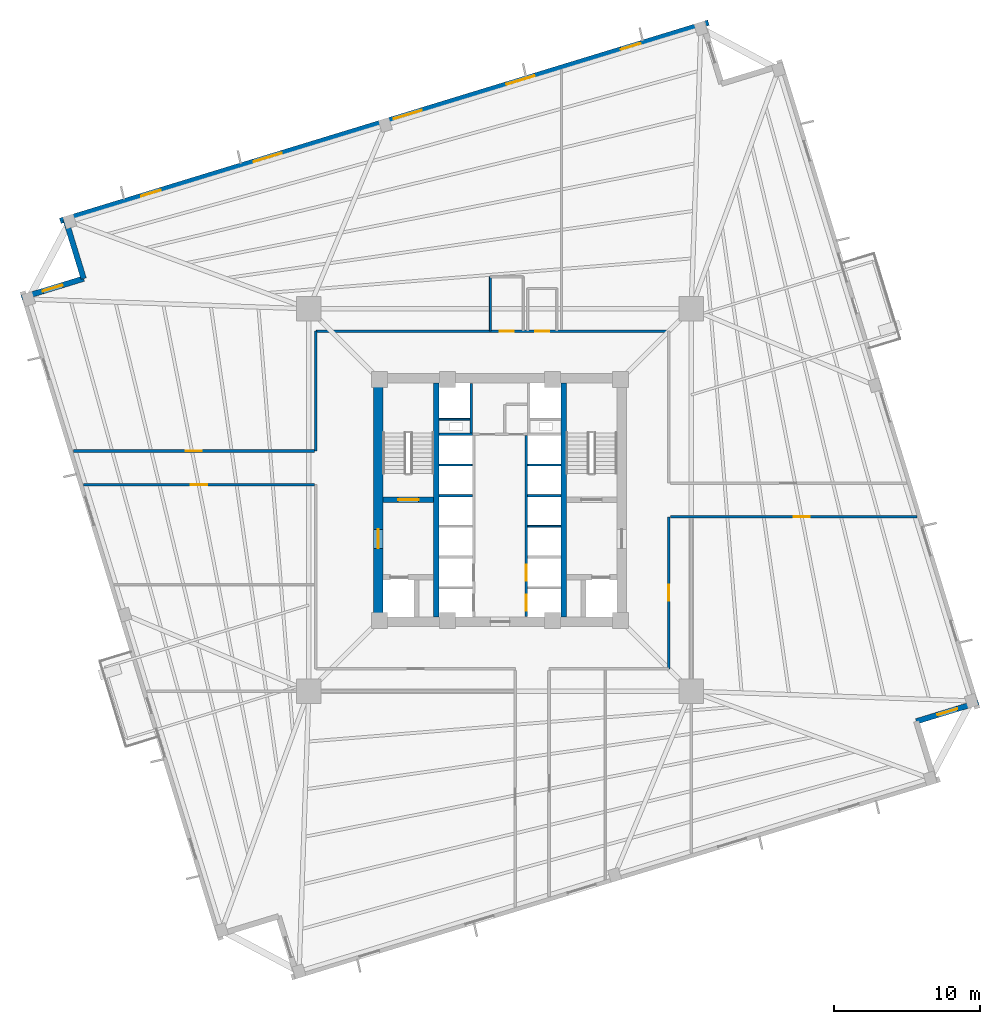
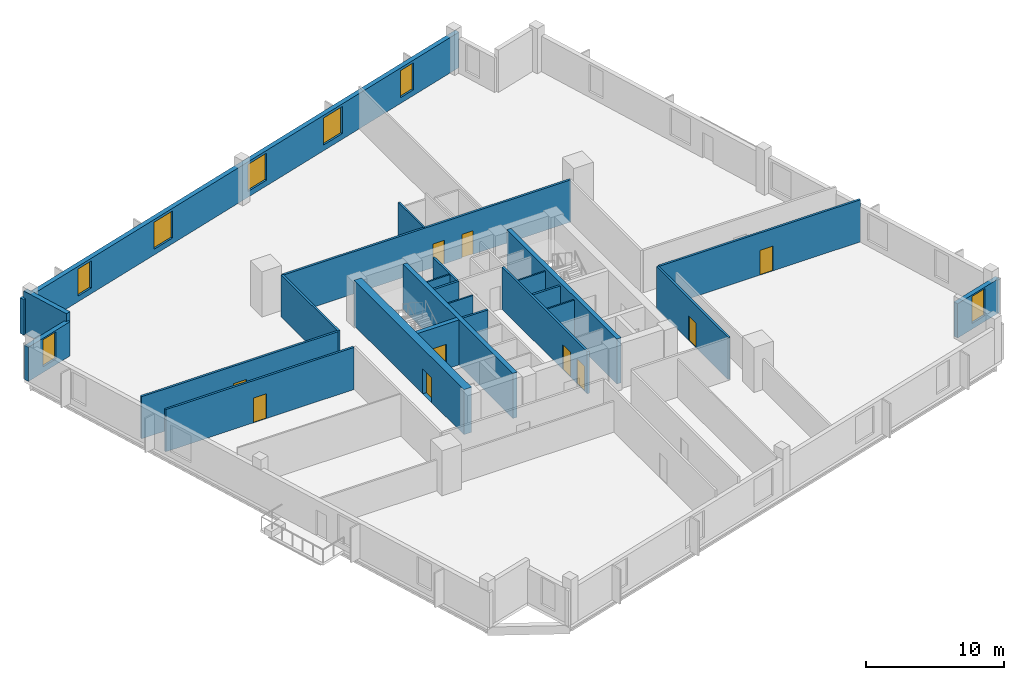
# One storey, part 4 of 9: 24 walls, 10 doors, 7 windows, 17 openings.
"""IFC4 building model written with IfcOpenShell, lengths in metres."""

from ifc_helpers import new_model, si_unit, direction, frame, frame_2d, origin, place, context, subcontext, project, spatial, rectangle, extrude, source, transform, mapped, material, layer, layer_set, type_object, element, fill, save


model = new_model("IFC4")

# Units and contexts
model_context = context("Model", 3, precision=1e-05, world=origin(), true_north=direction((0.0, 1.0)))
body_context = subcontext(model_context, "Body", "Model", "MODEL_VIEW")
ifc_project = project(units=[si_unit("LENGTHUNIT", "METRE"), si_unit("AREAUNIT", "SQUARE_METRE"), si_unit("VOLUMEUNIT", "CUBIC_METRE"), si_unit("PLANEANGLEUNIT", "RADIAN"), si_unit("MASSUNIT", "GRAM", prefix="KILO"), si_unit("THERMODYNAMICTEMPERATUREUNIT", "KELVIN")], contexts=[model_context])

# Site, building, storey
site_placement = place(None, origin())
site = spatial("IfcSite", under=ifc_project, at=site_placement, CompositionType="ELEMENT")
building_placement = place(site_placement, origin())
building = spatial("IfcBuilding", under=site, at=building_placement, Name="Kosmvard Interchange Tower", CompositionType="ELEMENT")
storey_placement = place(building_placement, frame((0.0, 0.0, 131.199951171875)))
storey = spatial("IfcBuildingStorey", under=building, at=storey_placement, Name="L31", CompositionType="ELEMENT", Elevation=131.199951171875)

# Wall
ifc_material_1 = material(Name="Fire-rated gypsum partition system")
ifc_layer_1 = layer(ifc_material_1, 0.159912109375, Name="Fire-rated gypsum partition system")
ifc_layer_set_1 = layer_set([ifc_layer_1], Name="Fire-rated gypsum partition system")
wall_type_1 = type_object("IfcWallType", Name="Core Compartment & Shuttle Lobby Partition 160", PredefinedType="PARTITIONING", material=ifc_layer_set_1)
wall_1_placement = place(storey_placement, frame((-1.9599609375, 4.580078125, 0.0), z_axis=(0.0, 0.0, 1.0), x_axis=(0.0, 1.0, 0.0)))
element("IfcWall", 1, at=wall_1_placement, inside=storey, type_object=wall_type_1, Name="L31 North Core West Wall", PredefinedType="PARTITIONING", context=body_context, shape_type="SweptSolid", body=[
    extrude(rectangle(XDim=3.39990234375, YDim=0.159912109375, at=frame_2d((1.699951171875, 0.0))), origin(), (0.0, 0.0, 1.0), 3.739990234375),
])

# Wall, openings, doors
ifc_layer_2 = layer(ifc_material_1, 0.179931640625, Name="Fire-rated gypsum partition system")
ifc_layer_set_2 = layer_set([ifc_layer_2], Name="Fire-rated gypsum partition system")
wall_type_2 = type_object("IfcWallType", Name="Corridor & Hotel Compartment Partition 180", PredefinedType="PARTITIONING", material=ifc_layer_set_2)
wall_2_placement = place(storey_placement, frame((1.7900390625, -7.97998046875, 0.0), z_axis=(0.0, 0.0, 1.0), x_axis=(0.0, 1.0, 0.0)))
wall_2 = element("IfcWall", 2, at=wall_2_placement, inside=storey, type_object=wall_type_2, Name="L31 East Lift Bank Front Wall", PredefinedType="PARTITIONING", context=body_context, shape_type="SweptSolid", body=[
    extrude(rectangle(XDim=12.3798828125, YDim=0.179931640625, at=frame_2d((6.18994140625, 0.0))), origin(), (0.0, 0.0, 1.0), 3.739990234375),
])
opening_1_placement = place(wall_2_placement, frame((0.39990234375, 0.0, 0.0)))
opening_1 = element("IfcOpeningElement", 3, at=opening_1_placement, cuts=wall_2, Name="Opening LD-PL-L3-L31", PredefinedType="OPENING", context=body_context, shape_type="SweptSolid", body=[
    extrude(rectangle(XDim=1.10009765625, YDim=2.199951171875, at=frame_2d((0.550048828125, 1.10009765625))), frame((0.0, 0.10009765625, 0.0), z_axis=(0.0, -1.0, 0.0), x_axis=(1.0, 0.0, 0.0)), (0.0, 0.0, 1.0), 0.199951171875),
])
opening_2_placement = place(wall_2_placement, frame((2.4599609375, 0.0, 0.0)))
opening_2 = element("IfcOpeningElement", 4, at=opening_2_placement, cuts=wall_2, Name="Opening LD-PL-L4-L31", PredefinedType="OPENING", context=body_context, shape_type="SweptSolid", body=[
    extrude(rectangle(XDim=1.10009765625, YDim=2.199951171875, at=frame_2d((0.550048828125, 1.10009765625))), frame((0.0, 0.10009765625, 0.0), z_axis=(0.0, -1.0, 0.0), x_axis=(1.0, 0.0, 0.0)), (0.0, 0.0, 1.0), 0.199951171875),
])
ifc_material_2 = material(Name="Brushed stainless steel sliding leaf", Category="steel")
door_type_1 = type_object("IfcDoorType", Name="Passenger Lift Sliding Landing Door 1100x2200 EI60", OperationType="DOUBLE_DOOR_SLIDING", PredefinedType="DOOR", material=ifc_material_2)
shared_shape_1 = source(origin(), body_context, "Body", "SweptSolid", [
    extrude(rectangle(XDim=1.10009765625, YDim=2.199951171875, at=frame_2d((0.550048828125, 1.10009765625))), frame((0.0, 0.02490234375, 0.0), z_axis=(0.0, -1.0, 0.0), x_axis=(1.0, 0.0, 0.0)), (0.0, 0.0, 1.0), 0.050048828125),
])
door_1_placement = place(opening_1_placement, origin())
door_1 = element("IfcDoor", 5, at=door_1_placement, inside=storey, type_object=door_type_1, Name="Lift PL-L3 Landing Door L31", OperationType="DOUBLE_DOOR_SLIDING", OverallHeight=2.199951171875, OverallWidth=1.10009765625, PredefinedType="DOOR", context=body_context, shape_type="MappedRepresentation", body=[
    mapped(shared_shape_1, transform((0.0, 0.0, 0.0), scale=1.0)),
])
fill(opening_1, door_1)
door_2_placement = place(opening_2_placement, origin())
door_2 = element("IfcDoor", 6, at=door_2_placement, inside=storey, type_object=door_type_1, Name="Lift PL-L4 Landing Door L31", OperationType="DOUBLE_DOOR_SLIDING", OverallHeight=2.199951171875, OverallWidth=1.10009765625, PredefinedType="DOOR", context=body_context, shape_type="MappedRepresentation", body=[
    mapped(shared_shape_1, transform((0.0, 0.0, 0.0), scale=1.0)),
])
fill(opening_2, door_2)

wall_3_placement = place(storey_placement, frame((-12.60009765625, 11.550048828125, 0.0), z_axis=(0.0, 0.0, 1.0), x_axis=(1.0, 0.0, 0.0)))
wall_3 = element("IfcWall", 7, at=wall_3_placement, inside=storey, type_object=wall_type_2, Name="L31 Corridor Wall CN", PredefinedType="PARTITIONING", context=body_context, shape_type="SweptSolid", body=[
    extrude(rectangle(XDim=24.150146484375, YDim=0.179931640625, at=frame_2d((12.0751953125, 0.0))), origin(), (0.0, 0.0, 1.0), 3.739990234375),
])
opening_3_placement = place(wall_3_placement, frame((15.013916015625, 0.0, 0.0)))
opening_3 = element("IfcOpeningElement", 8, at=opening_3_placement, cuts=wall_3, Name="Opening L31-D01", PredefinedType="OPENING", context=body_context, shape_type="SweptSolid", body=[
    extrude(rectangle(XDim=0.949951171875, YDim=2.10009765625, at=frame_2d((0.47509765625, 1.050048828125))), frame((0.0, 0.10009765625, 0.0), z_axis=(0.0, -1.0, 0.0), x_axis=(1.0, 0.0, 0.0)), (0.0, 0.0, 1.0), 0.199951171875),
])
opening_4_placement = place(wall_3_placement, frame((12.58984375, 0.0, 0.0)))
opening_4 = element("IfcOpeningElement", 9, at=opening_4_placement, cuts=wall_3, Name="Opening L31-D02", PredefinedType="OPENING", context=body_context, shape_type="SweptSolid", body=[
    extrude(rectangle(XDim=0.949951171875, YDim=2.10009765625, at=frame_2d((0.47509765625, 1.050048828125))), frame((0.0, 0.10009765625, 0.0), z_axis=(0.0, -1.0, 0.0), x_axis=(1.0, 0.0, 0.0)), (0.0, 0.0, 1.0), 0.199951171875),
])
ifc_material_3 = material(Name="Laminated moisture-resistant timber", Category="wood")
door_type_2 = type_object("IfcDoorType", Name="Accessible Washroom Door 950x2100", OperationType="NOTDEFINED", PredefinedType="DOOR", material=ifc_material_3)
shared_shape_2 = source(origin(), body_context, "Body", "SweptSolid", [
    extrude(rectangle(XDim=0.949951171875, YDim=2.10009765625, at=frame_2d((0.47509765625, 1.050048828125))), frame((0.0, 0.02490234375, 0.0), z_axis=(0.0, -1.0, 0.0), x_axis=(1.0, 0.0, 0.0)), (0.0, 0.0, 1.0), 0.050048828125),
])
door_3_placement = place(opening_3_placement, origin())
door_3 = element("IfcDoor", 10, at=door_3_placement, inside=storey, type_object=door_type_2, Name="L31 Accessible Toilet Door", OperationType="SINGLE_SWING_LEFT", OverallHeight=2.10009765625, OverallWidth=0.949951171875, PredefinedType="DOOR", context=body_context, shape_type="MappedRepresentation", body=[
    mapped(shared_shape_2, transform((0.0, 0.0, 0.0), scale=1.0)),
])
fill(opening_3, door_3)
door_4_placement = place(opening_4_placement, origin())
door_4 = element("IfcDoor", 11, at=door_4_placement, inside=storey, type_object=door_type_2, Name="L31 Public Floor Washroom Door", OperationType="SINGLE_SWING_RIGHT", OverallHeight=2.10009765625, OverallWidth=0.949951171875, PredefinedType="DOOR", context=body_context, shape_type="MappedRepresentation", body=[
    mapped(shared_shape_2, transform((0.0, 0.0, 0.0), scale=1.0)),
])
fill(opening_4, door_4)

# Wall
wall_4_placement = place(storey_placement, frame((-12.60009765625, 3.35009765625, 0.0), z_axis=(0.0, 0.0, 1.0), x_axis=(0.0, 1.0, 0.0)))
element("IfcWall", 12, at=wall_4_placement, inside=storey, type_object=wall_type_2, Name="L31 Corridor Wall CWN", PredefinedType="PARTITIONING", context=body_context, shape_type="SweptSolid", body=[
    extrude(rectangle(XDim=8.199951171875, YDim=0.179931640625, at=frame_2d((4.10009765625, 0.0))), origin(), (0.0, 0.0, 1.0), 3.739990234375),
])

# Wall, opening, door
wall_5_placement = place(storey_placement, frame((11.550048828125, -11.550048828125, 0.0), z_axis=(0.0, 0.0, 1.0), x_axis=(0.0, 1.0, 0.0)))
wall_5 = element("IfcWall", 13, at=wall_5_placement, inside=storey, type_object=wall_type_2, Name="L31 Corridor Wall CES", PredefinedType="PARTITIONING", context=body_context, shape_type="SweptSolid", body=[
    extrude(rectangle(XDim=10.400146484375, YDim=0.179931640625, at=frame_2d((5.2001953125, 0.0))), origin(), (0.0, 0.0, 1.0), 3.739990234375),
])
opening_5_placement = place(wall_5_placement, frame((4.64990234375, 0.0, 0.0)))
opening_5 = element("IfcOpeningElement", 14, at=opening_5_placement, cuts=wall_5, Name="Opening L31-D06", PredefinedType="OPENING", context=body_context, shape_type="SweptSolid", body=[
    extrude(rectangle(XDim=1.10009765625, YDim=2.199951171875, at=frame_2d((0.550048828125, 1.10009765625))), frame((0.0, 0.10009765625, 0.0), z_axis=(0.0, -1.0, 0.0), x_axis=(1.0, 0.0, 0.0)), (0.0, 0.0, 1.0), 0.199951171875),
])
ifc_material_4 = material(Name="Engineered oak fire-rated timber", Category="wood")
door_type_3 = type_object("IfcDoorType", Name="Office Suite Entrance Door 1100x2200 FD30S", OperationType="NOTDEFINED", PredefinedType="DOOR", material=ifc_material_4)
door_5_placement = place(opening_5_placement, frame((1.10009765625, 0.0, 0.0), z_axis=(0.0, 0.0, 1.0), x_axis=(-1.0, 0.0, 0.0)))
door_5 = element("IfcDoor", 15, at=door_5_placement, inside=storey, type_object=door_type_3, Name="L31 Staff Credit Banking Shop Door", OperationType="SINGLE_SWING_RIGHT", OverallHeight=2.199951171875, OverallWidth=1.10009765625, PredefinedType="DOOR", context=body_context, shape_type="MappedRepresentation", body=[
    mapped(shared_shape_1, transform((0.0, 0.0, 0.0), scale=1.0)),
])
fill(opening_5, door_5)

wall_6_placement = place(storey_placement, frame((-28.48681640625, 1.050048828125, 0.0), z_axis=(0.0, 0.0, 1.0), x_axis=(1.0, 0.0, 0.0)))
wall_6 = element("IfcWall", 16, at=wall_6_placement, inside=storey, type_object=wall_type_2, Name="L31 Corridor Wall SWS", PredefinedType="PARTITIONING", context=body_context, shape_type="SweptSolid", body=[
    extrude(rectangle(XDim=15.786865234375, YDim=0.179931640625, at=frame_2d((7.8935546875, 0.0))), origin(), (0.0, 0.0, 1.0), 3.739990234375),
])
opening_6_placement = place(wall_6_placement, frame((7.34326171875, 0.0, 0.0)))
opening_6 = element("IfcOpeningElement", 17, at=opening_6_placement, cuts=wall_6, Name="Opening L31-D08", PredefinedType="OPENING", context=body_context, shape_type="SweptSolid", body=[
    extrude(rectangle(XDim=1.10009765625, YDim=2.199951171875, at=frame_2d((0.550048828125, 1.10009765625))), frame((0.0, 0.10009765625, 0.0), z_axis=(0.0, -1.0, 0.0), x_axis=(1.0, 0.0, 0.0)), (0.0, 0.0, 1.0), 0.199951171875),
])
door_6_placement = place(opening_6_placement, frame((1.10009765625, 0.0, 0.0), z_axis=(0.0, 0.0, 1.0), x_axis=(-1.0, 0.0, 0.0)))
door_6 = element("IfcDoor", 18, at=door_6_placement, inside=storey, type_object=door_type_3, Name="L31 Event Catering Kitchen Door", OperationType="SINGLE_SWING_RIGHT", OverallHeight=2.199951171875, OverallWidth=1.10009765625, PredefinedType="DOOR", context=body_context, shape_type="MappedRepresentation", body=[
    mapped(shared_shape_1, transform((0.0, 0.0, 0.0), scale=1.0)),
])
fill(opening_6, door_6)

wall_7_placement = place(storey_placement, frame((-29.18994140625, 3.35009765625, 0.0), z_axis=(0.0, 0.0, 1.0), x_axis=(1.0, 0.0, 0.0)))
wall_7 = element("IfcWall", 19, at=wall_7_placement, inside=storey, type_object=wall_type_2, Name="L31 Corridor Wall SWN", PredefinedType="PARTITIONING", context=body_context, shape_type="SweptSolid", body=[
    extrude(rectangle(XDim=16.489990234375, YDim=0.179931640625, at=frame_2d((8.2451171875, 0.0))), origin(), (0.0, 0.0, 1.0), 3.739990234375),
])
opening_7_placement = place(wall_7_placement, frame((7.695068359375, 0.0, 0.0)))
opening_7 = element("IfcOpeningElement", 20, at=opening_7_placement, cuts=wall_7, Name="Opening L31-D03", PredefinedType="OPENING", context=body_context, shape_type="SweptSolid", body=[
    extrude(rectangle(XDim=1.10009765625, YDim=2.199951171875, at=frame_2d((0.550048828125, 1.10009765625))), frame((0.0, 0.10009765625, 0.0), z_axis=(0.0, -1.0, 0.0), x_axis=(1.0, 0.0, 0.0)), (0.0, 0.0, 1.0), 0.199951171875),
])
door_7_placement = place(opening_7_placement, origin())
door_7 = element("IfcDoor", 21, at=door_7_placement, inside=storey, type_object=door_type_3, Name="L31 Employee Wellness Yoga Studio Door", OperationType="SINGLE_SWING_LEFT", OverallHeight=2.199951171875, OverallWidth=1.10009765625, PredefinedType="DOOR", context=body_context, shape_type="MappedRepresentation", body=[
    mapped(shared_shape_1, transform((0.0, 0.0, 0.0), scale=1.0)),
])
fill(opening_7, door_7)

wall_8_placement = place(storey_placement, frame((11.64990234375, -1.14990234375, 0.0), z_axis=(0.0, 0.0, 1.0), x_axis=(1.0, 0.0, 0.0)))
wall_8 = element("IfcWall", 22, at=wall_8_placement, inside=storey, type_object=wall_type_2, Name="L31 Corridor Wall SES", PredefinedType="PARTITIONING", context=body_context, shape_type="SweptSolid", body=[
    extrude(rectangle(XDim=16.867431640625, YDim=0.179931640625, at=frame_2d((8.43359375, 0.0))), origin(), (0.0, 0.0, 1.0), 3.739990234375),
])
opening_8_placement = place(wall_8_placement, frame((8.4345703125, 0.0, 0.0)))
opening_8 = element("IfcOpeningElement", 23, at=opening_8_placement, cuts=wall_8, Name="Opening L31-D07", PredefinedType="OPENING", context=body_context, shape_type="SweptSolid", body=[
    extrude(rectangle(XDim=1.10009765625, YDim=2.199951171875, at=frame_2d((0.550048828125, 1.10009765625))), frame((0.0, 0.10009765625, 0.0), z_axis=(0.0, -1.0, 0.0), x_axis=(1.0, 0.0, 0.0)), (0.0, 0.0, 1.0), 0.199951171875),
])
door_8_placement = place(opening_8_placement, frame((1.10009765625, 0.0, 0.0), z_axis=(0.0, 0.0, 1.0), x_axis=(-1.0, 0.0, 0.0)))
door_8 = element("IfcDoor", 24, at=door_8_placement, inside=storey, type_object=door_type_3, Name="L31 East Open Workspace Door", OperationType="SINGLE_SWING_LEFT", OverallHeight=2.199951171875, OverallWidth=1.10009765625, PredefinedType="DOOR", context=body_context, shape_type="MappedRepresentation", body=[
    mapped(shared_shape_1, transform((0.0, 0.0, 0.0), scale=1.0)),
])
fill(opening_8, door_8)

# Wall, opening, window
ifc_material_5 = material(Name="Precast concrete C45/55", Category="concrete")
ifc_layer_3 = layer(ifc_material_5, 0.3798828125, Name="Precast concrete C45/55")
ifc_layer_set_3 = layer_set([ifc_layer_3], Name="Precast concrete C45/55")
wall_type_3 = type_object("IfcWallType", Name="Lower Tower Precast Pier Wall 380 C45/55", PredefinedType="STANDARD", material=ifc_layer_set_3)
wall_9_placement = place(storey_placement, frame((28.482421875, -15.144287109375, 0.0), z_axis=(0.0, 0.0, 1.0), x_axis=(0.956304176051, 0.292373601522, 0.0)))
wall_9 = element("IfcWall", 25, at=wall_9_placement, inside=storey, type_object=wall_type_3, Name="L31 Precast Facade Wall N-SE2", PredefinedType="STANDARD", context=body_context, shape_type="SweptSolid", body=[
    extrude(rectangle(XDim=4.43994140625, YDim=0.3798828125, at=frame_2d((2.219970703125, 0.0))), origin(), (0.0, 0.0, 1.0), 3.0400390625),
])
opening_9_placement = place(wall_9_placement, frame((1.52001953125, 0.0, 0.510009765625)))
opening_9 = element("IfcOpeningElement", 26, at=opening_9_placement, cuts=wall_9, Name="Opening L31-W20", PredefinedType="OPENING", context=body_context, shape_type="SweptSolid", body=[
    extrude(rectangle(XDim=1.39990234375, YDim=2.39990234375, at=frame_2d((0.699951171875, 1.199951171875))), frame((0.0, 0.199951171875, 0.0), z_axis=(0.0, -1.0, 0.0), x_axis=(1.0, 0.0, 0.0)), (0.0, 0.0, 1.0), 0.39990234375),
])
ifc_material_6 = material(Name="Low-E solar-control double glazing", Category="glass")
window_type_1 = type_object("IfcWindowType", Name="Notched Corner Feature Window 1400x2400", PartitioningType="SINGLE_PANEL", PredefinedType="WINDOW", material=ifc_material_6)
shared_shape_3 = source(origin(), body_context, "Body", "SweptSolid", [
    extrude(rectangle(XDim=1.39990234375, YDim=2.39990234375, at=frame_2d((0.699951171875, 1.199951171875))), frame((0.0, 0.030029296875, 0.0), z_axis=(0.0, -1.0, 0.0), x_axis=(1.0, 0.0, 0.0)), (0.0, 0.0, 1.0), 0.06005859375),
])
window_1_placement = place(opening_9_placement, origin())
window_1 = element("IfcWindow", 27, at=window_1_placement, inside=storey, type_object=window_type_1, Name="L31 Corner Notch Window 20", OverallHeight=2.39990234375, OverallWidth=1.39990234375, PartitioningType="SINGLE_PANEL", PredefinedType="WINDOW", context=body_context, shape_type="MappedRepresentation", body=[
    mapped(shared_shape_3, transform((0.0, 0.0, 0.0), scale=1.0)),
])
fill(opening_9, window_1)

# Wall, openings, windows
wall_10_placement = place(storey_placement, frame((14.26513671875, 32.65771484375, 0.0), z_axis=(0.0, 0.0, 1.0), x_axis=(-0.956304320851, -0.292373127906, 0.0)))
wall_10 = element("IfcWall", 28, at=wall_10_placement, inside=storey, type_object=wall_type_3, Name="L31 Precast Facade Wall F-N", PredefinedType="STANDARD", context=body_context, shape_type="SweptSolid", body=[
    extrude(rectangle(XDim=46.380126953125, YDim=0.3798828125, at=frame_2d((23.18994140625, 0.0))), origin(), (0.0, 0.0, 1.0), 3.14013671875),
])
opening_10_placement = place(wall_10_placement, frame((4.865478515625, 0.0, 0.510009765625)))
opening_10 = element("IfcOpeningElement", 29, at=opening_10_placement, cuts=wall_10, Name="Opening L31-W11", PredefinedType="OPENING", context=body_context, shape_type="SweptSolid", body=[
    extrude(rectangle(XDim=1.39990234375, YDim=2.39990234375, at=frame_2d((0.699951171875, 1.199951171875))), frame((0.0, 0.199951171875, 0.0), z_axis=(0.0, -1.0, 0.0), x_axis=(1.0, 0.0, 0.0)), (0.0, 0.0, 1.0), 0.39990234375),
])
opening_11_placement = place(wall_10_placement, frame((12.4501953125, 0.0, 0.510009765625)))
opening_11 = element("IfcOpeningElement", 30, at=opening_11_placement, cuts=wall_10, Name="Opening L31-W12", PredefinedType="OPENING", context=body_context, shape_type="SweptSolid", body=[
    extrude(rectangle(XDim=2.0, YDim=2.39990234375, at=frame_2d((1.0, 1.199951171875))), frame((0.0, 0.199951171875, 0.0), z_axis=(0.0, -1.0, 0.0), x_axis=(1.0, 0.0, 0.0)), (0.0, 0.0, 1.0), 0.39990234375),
])
opening_12_placement = place(wall_10_placement, frame((20.512451171875, 0.0, 0.510009765625)))
opening_12 = element("IfcOpeningElement", 31, at=opening_12_placement, cuts=wall_10, Name="Opening L31-W13", PredefinedType="OPENING", context=body_context, shape_type="SweptSolid", body=[
    extrude(rectangle(XDim=2.0, YDim=2.39990234375, at=frame_2d((1.0, 1.199951171875))), frame((0.0, 0.199951171875, 0.0), z_axis=(0.0, -1.0, 0.0), x_axis=(1.0, 0.0, 0.0)), (0.0, 0.0, 1.0), 0.39990234375),
])
opening_13_placement = place(wall_10_placement, frame((30.538330078125, 0.0, 0.510009765625)))
opening_13 = element("IfcOpeningElement", 32, at=opening_13_placement, cuts=wall_10, Name="Opening L31-W14", PredefinedType="OPENING", context=body_context, shape_type="SweptSolid", body=[
    extrude(rectangle(XDim=2.0, YDim=2.39990234375, at=frame_2d((1.0, 1.199951171875))), frame((0.0, 0.199951171875, 0.0), z_axis=(0.0, -1.0, 0.0), x_axis=(1.0, 0.0, 0.0)), (0.0, 0.0, 1.0), 0.39990234375),
])
opening_14_placement = place(wall_10_placement, frame((39.186767578125, 0.0, 0.510009765625)))
opening_14 = element("IfcOpeningElement", 33, at=opening_14_placement, cuts=wall_10, Name="Opening L31-W15", PredefinedType="OPENING", context=body_context, shape_type="SweptSolid", body=[
    extrude(rectangle(XDim=1.39990234375, YDim=2.39990234375, at=frame_2d((0.699951171875, 1.199951171875))), frame((0.0, 0.199951171875, 0.0), z_axis=(0.0, -1.0, 0.0), x_axis=(1.0, 0.0, 0.0)), (0.0, 0.0, 1.0), 0.39990234375),
])
window_2_placement = place(opening_10_placement, origin())
window_2 = element("IfcWindow", 34, at=window_2_placement, inside=storey, type_object=window_type_1, Name="L31 Facade Punched Window 11", OverallHeight=2.39990234375, OverallWidth=1.39990234375, PartitioningType="SINGLE_PANEL", PredefinedType="WINDOW", context=body_context, shape_type="MappedRepresentation", body=[
    mapped(shared_shape_3, transform((0.0, 0.0, 0.0), scale=1.0)),
])
fill(opening_10, window_2)
window_3_placement = place(opening_14_placement, origin())
window_3 = element("IfcWindow", 35, at=window_3_placement, inside=storey, type_object=window_type_1, Name="L31 Facade Punched Window 15", OverallHeight=2.39990234375, OverallWidth=1.39990234375, PartitioningType="SINGLE_PANEL", PredefinedType="WINDOW", context=body_context, shape_type="MappedRepresentation", body=[
    mapped(shared_shape_3, transform((0.0, 0.0, 0.0), scale=1.0)),
])
fill(opening_14, window_3)
window_type_2 = type_object("IfcWindowType", Name="Zone 2 Office Punched Window 2000x2400", PartitioningType="SINGLE_PANEL", PredefinedType="WINDOW", material=ifc_material_6)
shared_shape_4 = source(origin(), body_context, "Body", "SweptSolid", [
    extrude(rectangle(XDim=2.0, YDim=2.39990234375, at=frame_2d((1.0, 1.199951171875))), frame((0.0, 0.030029296875, 0.0), z_axis=(0.0, -1.0, 0.0), x_axis=(1.0, 0.0, 0.0)), (0.0, 0.0, 1.0), 0.06005859375),
])
window_4_placement = place(opening_11_placement, origin())
window_4 = element("IfcWindow", 36, at=window_4_placement, inside=storey, type_object=window_type_2, Name="L31 Facade Punched Window 12", OverallHeight=2.39990234375, OverallWidth=2.0, PartitioningType="SINGLE_PANEL", PredefinedType="WINDOW", context=body_context, shape_type="MappedRepresentation", body=[
    mapped(shared_shape_4, transform((0.0, 0.0, 0.0), scale=1.0)),
])
fill(opening_11, window_4)
window_5_placement = place(opening_12_placement, origin())
window_5 = element("IfcWindow", 37, at=window_5_placement, inside=storey, type_object=window_type_2, Name="L31 Facade Punched Window 13", OverallHeight=2.39990234375, OverallWidth=2.0, PartitioningType="SINGLE_PANEL", PredefinedType="WINDOW", context=body_context, shape_type="MappedRepresentation", body=[
    mapped(shared_shape_4, transform((0.0, 0.0, 0.0), scale=1.0)),
])
fill(opening_12, window_5)
window_6_placement = place(opening_13_placement, origin())
window_6 = element("IfcWindow", 38, at=window_6_placement, inside=storey, type_object=window_type_2, Name="L31 Facade Punched Window 14", OverallHeight=2.39990234375, OverallWidth=2.0, PartitioningType="SINGLE_PANEL", PredefinedType="WINDOW", context=body_context, shape_type="MappedRepresentation", body=[
    mapped(shared_shape_4, transform((0.0, 0.0, 0.0), scale=1.0)),
])
fill(opening_13, window_6)

# Wall
wall_11_placement = place(storey_placement, frame((-29.724853515625, 19.20849609375, 0.0), z_axis=(0.0, 0.0, 1.0), x_axis=(0.292345507338, -0.956312764915, 0.0)))
element("IfcWall", 39, at=wall_11_placement, inside=storey, type_object=wall_type_3, Name="L31 Precast Facade Wall N-NW1", PredefinedType="STANDARD", context=body_context, shape_type="SweptSolid", body=[
    extrude(rectangle(XDim=4.249755859375, YDim=0.3798828125, at=frame_2d((2.125, 0.0))), origin(), (0.0, 0.0, 1.0), 3.739990234375),
])

# Wall, opening, window
wall_12_placement = place(storey_placement, frame((-28.482421875, 15.144287109375, 0.0), z_axis=(0.0, 0.0, 1.0), x_axis=(-0.956304176051, -0.292373601522, 0.0)))
wall_12 = element("IfcWall", 40, at=wall_12_placement, inside=storey, type_object=wall_type_3, Name="L31 Precast Facade Wall N-NW2", PredefinedType="STANDARD", context=body_context, shape_type="SweptSolid", body=[
    extrude(rectangle(XDim=4.43994140625, YDim=0.3798828125, at=frame_2d((2.219970703125, 0.0))), origin(), (0.0, 0.0, 1.0), 3.0400390625),
])
opening_15_placement = place(wall_12_placement, frame((1.52001953125, 0.0, 0.510009765625)))
opening_15 = element("IfcOpeningElement", 41, at=opening_15_placement, cuts=wall_12, Name="Opening L31-W22", PredefinedType="OPENING", context=body_context, shape_type="SweptSolid", body=[
    extrude(rectangle(XDim=1.39990234375, YDim=2.39990234375, at=frame_2d((0.699951171875, 1.199951171875))), frame((0.0, 0.199951171875, 0.0), z_axis=(0.0, -1.0, 0.0), x_axis=(1.0, 0.0, 0.0)), (0.0, 0.0, 1.0), 0.39990234375),
])
window_7_placement = place(opening_15_placement, origin())
window_7 = element("IfcWindow", 42, at=window_7_placement, inside=storey, type_object=window_type_1, Name="L31 Corner Notch Window 22", OverallHeight=2.39990234375, OverallWidth=1.39990234375, PartitioningType="SINGLE_PANEL", PredefinedType="WINDOW", context=body_context, shape_type="MappedRepresentation", body=[
    mapped(shared_shape_3, transform((0.0, 0.0, 0.0), scale=1.0)),
])
fill(opening_15, window_7)

# Wall, opening, door
ifc_material_7 = material(Name="Concrete C70/85", Category="concrete")
ifc_layer_4 = layer(ifc_material_7, 0.64990234375, Name="Concrete C70/85")
ifc_layer_set_4 = layer_set([ifc_layer_4], Name="Concrete C70/85")
wall_type_4 = type_object("IfcWallType", Name="Mid Core Shear Wall 650 C70/85", PredefinedType="SHEAR", material=ifc_layer_set_4)
wall_13_placement = place(storey_placement, frame((-8.324951171875, -8.0, 0.0), z_axis=(0.0, 0.0, 1.0), x_axis=(0.0, 1.0, 0.0)))
wall_13 = element("IfcWall", 43, at=wall_13_placement, inside=storey, type_object=wall_type_4, Name="L31 Core Shear Wall CW-W", PredefinedType="SHEAR", context=body_context, shape_type="SweptSolid", body=[
    extrude(rectangle(XDim=16.0, YDim=0.64990234375, at=frame_2d((8.0, 0.0))), origin(), (0.0, 0.0, 1.0), 4.0),
])
opening_16_placement = place(wall_13_placement, frame((4.68994140625, 0.0, 0.0)))
opening_16 = element("IfcOpeningElement", 44, at=opening_16_placement, cuts=wall_13, Name="Opening L31-FD1", PredefinedType="OPENING", context=body_context, shape_type="SweptSolid", body=[
    extrude(rectangle(XDim=1.300048828125, YDim=2.199951171875, at=frame_2d((0.64990234375, 1.10009765625))), frame((0.0, 0.3349609375, 0.0), z_axis=(0.0, -1.0, 0.0), x_axis=(1.0, 0.0, 0.0)), (0.0, 0.0, 1.0), 0.669921875),
])
ifc_material_8 = material(Name="Painted fire-rated steel leaf", Category="steel")
door_type_4 = type_object("IfcDoorType", Name="Firefighting Lobby Door 1300x2200 EI60", OperationType="NOTDEFINED", PredefinedType="DOOR", material=ifc_material_8)
shared_shape_5 = source(origin(), body_context, "Body", "SweptSolid", [
    extrude(rectangle(XDim=1.300048828125, YDim=2.199951171875, at=frame_2d((0.64990234375, 1.10009765625))), frame((0.0, 0.02490234375, 0.0), z_axis=(0.0, -1.0, 0.0), x_axis=(1.0, 0.0, 0.0)), (0.0, 0.0, 1.0), 0.050048828125),
])
door_9_placement = place(opening_16_placement, frame((1.300048828125, 0.0, 0.0), z_axis=(0.0, 0.0, 1.0), x_axis=(-1.0, 0.0, 0.0)))
door_9 = element("IfcDoor", 45, at=door_9_placement, inside=storey, type_object=door_type_4, Name="L31 Firefighting Lobby West Door", OperationType="SINGLE_SWING_LEFT", OverallHeight=2.199951171875, OverallWidth=1.300048828125, PredefinedType="DOOR", context=body_context, shape_type="MappedRepresentation", body=[
    mapped(shared_shape_5, transform((0.0, 0.0, 0.0), scale=1.0)),
])
fill(opening_16, door_9)

# Walls
ifc_material_9 = material(Name="Concrete blockwork masonry", Category="masonry")
ifc_layer_5 = layer(ifc_material_9, 0.179931640625, Name="Concrete blockwork masonry")
ifc_layer_set_5 = layer_set([ifc_layer_5], Name="Concrete blockwork masonry")
wall_type_5 = type_object("IfcWallType", Name="Riser & Lift Bank Divider Wall 180", PredefinedType="PARTITIONING", material=ifc_layer_set_5)
for number, where, z_axis, x_axis, name in (
    (46, (-4.169921875, 0.300048828125, 0.0), (0.0, 0.0, 1.0), (1.0, 0.0, 0.0), "L31 West Bank Divider BD2"),
    (47, (1.889892578125, 0.300048828125, 0.0), (0.0, 0.0, 1.0), (1.0, 0.0, 0.0), "L31 East Bank Divider BD2"),
    (48, (-4.169921875, 4.489990234375, 0.0), (0.0, 0.0, 1.0), (1.0, 0.0, 0.0), "L31 West Bank Divider BD3"),
):
    element("IfcWall", number, at=place(storey_placement, frame(where, z_axis=z_axis, x_axis=x_axis)), inside=storey, type_object=wall_type_5, Name=name, PredefinedType="PARTITIONING", context=body_context, shape_type="SweptSolid", body=[
        extrude(rectangle(XDim=2.280029296875, YDim=0.179931640625, at=frame_2d((1.14013671875, 0.0))), origin(), (0.0, 0.0, 1.0), 3.739990234375),
    ])
ifc_material_10 = material(Name="Fire-rated gypsum shaftwall system")
ifc_layer_6 = layer(ifc_material_10, 0.1201171875, Name="Fire-rated gypsum shaftwall system")
ifc_layer_set_6 = layer_set([ifc_layer_6], Name="Fire-rated gypsum shaftwall system")
wall_type_6 = type_object("IfcWallType", Name="Shaft & Riser Fire Partition 120 EI60", PredefinedType="PARTITIONING", material=ifc_layer_set_6)
for number, where, z_axis, x_axis, name in (
    (49, (1.89990234375, -1.800048828125, 0.0), (0.0, 0.0, 1.0), (1.0, 0.0, 0.0), "L31 Shaft Divider PL-M3"),
    (50, (-4.159912109375, 2.39990234375, 0.0), (0.0, 0.0, 1.0), (1.0, 0.0, 0.0), "L31 Shaft Divider PL-H1"),
    (51, (1.89990234375, 2.39990234375, 0.0), (0.0, 0.0, 1.0), (1.0, 0.0, 0.0), "L31 Shaft Divider PL-H3"),
):
    element("IfcWall", number, at=place(storey_placement, frame(where, z_axis=z_axis, x_axis=x_axis)), inside=storey, type_object=wall_type_6, Name=name, PredefinedType="PARTITIONING", context=body_context, shape_type="SweptSolid", body=[
        extrude(rectangle(XDim=2.260009765625, YDim=0.1201171875, at=frame_2d((1.1298828125, 0.0))), origin(), (0.0, 0.0, 1.0), 3.739990234375),
    ])
wall_14_placement = place(storey_placement, frame((-4.159912109375, 5.52001953125, 0.0), z_axis=(0.0, 0.0, 1.0), x_axis=(1.0, 0.0, 0.0)))
element("IfcWall", 52, at=wall_14_placement, inside=storey, type_object=wall_type_6, Name="L31 Riser Shaft Divider W", PredefinedType="PARTITIONING", context=body_context, shape_type="SweptSolid", body=[
    extrude(rectangle(XDim=2.099853515625, YDim=0.1201171875, at=frame_2d((1.0498046875, 0.0))), origin(), (0.0, 0.0, 1.0), 3.739990234375),
])
ifc_material_11 = material(Name="Concrete C60/75", Category="concrete")
ifc_layer_7 = layer(ifc_material_11, 0.360107421875, Name="Concrete C60/75")
ifc_layer_set_7 = layer_set([ifc_layer_7], Name="Concrete C60/75")
wall_type_7 = type_object("IfcWallType", Name="Stair & Lift Shaft Shear Wall 360 C60/75", PredefinedType="SHEAR", material=ifc_layer_set_7)
for number, where, z_axis, x_axis, name in (
    (53, (-4.360107421875, -8.0, 0.0), (0.0, 0.0, 1.0), (0.0, 1.0, 0.0), "L31 Shaft Shear Wall SW-W"),
    (54, (4.360107421875, -8.0, 0.0), (0.0, 0.0, 1.0), (0.0, 1.0, 0.0), "L31 Shaft Shear Wall SW-E"),
):
    element("IfcWall", number, at=place(storey_placement, frame(where, z_axis=z_axis, x_axis=x_axis)), inside=storey, type_object=wall_type_7, Name=name, PredefinedType="SHEAR", context=body_context, shape_type="SweptSolid", body=[
        extrude(rectangle(XDim=16.0, YDim=0.360107421875, at=frame_2d((8.0, 0.0))), origin(), (0.0, 0.0, 1.0), 4.0),
    ])

# Wall, opening, door
wall_15_placement = place(storey_placement, frame((-8.0, 0.02001953125, 0.0), z_axis=(0.0, 0.0, 1.0), x_axis=(1.0, 0.0, 0.0)))
wall_15 = element("IfcWall", 55, at=wall_15_placement, inside=storey, type_object=wall_type_7, Name="L31 Shaft Shear Wall SW-ST1", PredefinedType="SHEAR", context=body_context, shape_type="SweptSolid", body=[
    extrude(rectangle(XDim=3.4599609375, YDim=0.360107421875, at=frame_2d((1.72998046875, 0.0))), origin(), (0.0, 0.0, 1.0), 4.0),
])
opening_17_placement = place(wall_15_placement, frame((1.030029296875, 0.0, 0.0)))
opening_17 = element("IfcOpeningElement", 56, at=opening_17_placement, cuts=wall_15, Name="Opening L31-SD1", PredefinedType="OPENING", context=body_context, shape_type="SweptSolid", body=[
    extrude(rectangle(XDim=1.39990234375, YDim=2.199951171875, at=frame_2d((0.699951171875, 1.10009765625))), frame((0.0, 0.18994140625, 0.0), z_axis=(0.0, -1.0, 0.0), x_axis=(1.0, 0.0, 0.0)), (0.0, 0.0, 1.0), 0.380126953125),
])
door_type_5 = type_object("IfcDoorType", Name="Protected Stair Door 1400x2200 FD60S", OperationType="NOTDEFINED", PredefinedType="DOOR", material=ifc_material_8)
shared_shape_6 = source(origin(), body_context, "Body", "SweptSolid", [
    extrude(rectangle(XDim=1.39990234375, YDim=2.199951171875, at=frame_2d((0.699951171875, 1.10009765625))), frame((0.0, 0.02490234375, 0.0), z_axis=(0.0, -1.0, 0.0), x_axis=(1.0, 0.0, 0.0)), (0.0, 0.0, 1.0), 0.050048828125),
])
door_10_placement = place(opening_17_placement, origin())
door_10 = element("IfcDoor", 57, at=door_10_placement, inside=storey, type_object=door_type_5, Name="L31 Stair ST-1 Enclosure Door", OperationType="SINGLE_SWING_LEFT", OverallHeight=2.199951171875, OverallWidth=1.39990234375, PredefinedType="DOOR", context=body_context, shape_type="MappedRepresentation", body=[
    mapped(shared_shape_6, transform((0.0, 0.0, 0.0), scale=1.0)),
])
fill(opening_17, door_10)

# Wall
ifc_material_12 = material(Name="Moisture-resistant gypsum partition")
ifc_layer_8 = layer(ifc_material_12, 0.135009765625, Name="Moisture-resistant gypsum partition")
ifc_layer_set_8 = layer_set([ifc_layer_8], Name="Moisture-resistant gypsum partition")
wall_type_8 = type_object("IfcWallType", Name="Wet Room Moisture-Resistant Partition 135", PredefinedType="PARTITIONING", material=ifc_layer_set_8)
wall_16_placement = place(storey_placement, frame((-0.66015625, 11.570068359375, 0.0), z_axis=(0.0, 0.0, 1.0), x_axis=(0.0, 1.0, 0.0)))
element("IfcWall", 58, at=wall_16_placement, inside=storey, type_object=wall_type_8, Name="L31 Washroom Partition WC1-W", PredefinedType="PARTITIONING", context=body_context, shape_type="SweptSolid", body=[
    extrude(rectangle(XDim=3.699951171875, YDim=0.135009765625, at=frame_2d((1.85009765625, 0.0))), origin(), (0.0, 0.0, 1.0), 3.739990234375),
])

save(model, "model.ifc")
